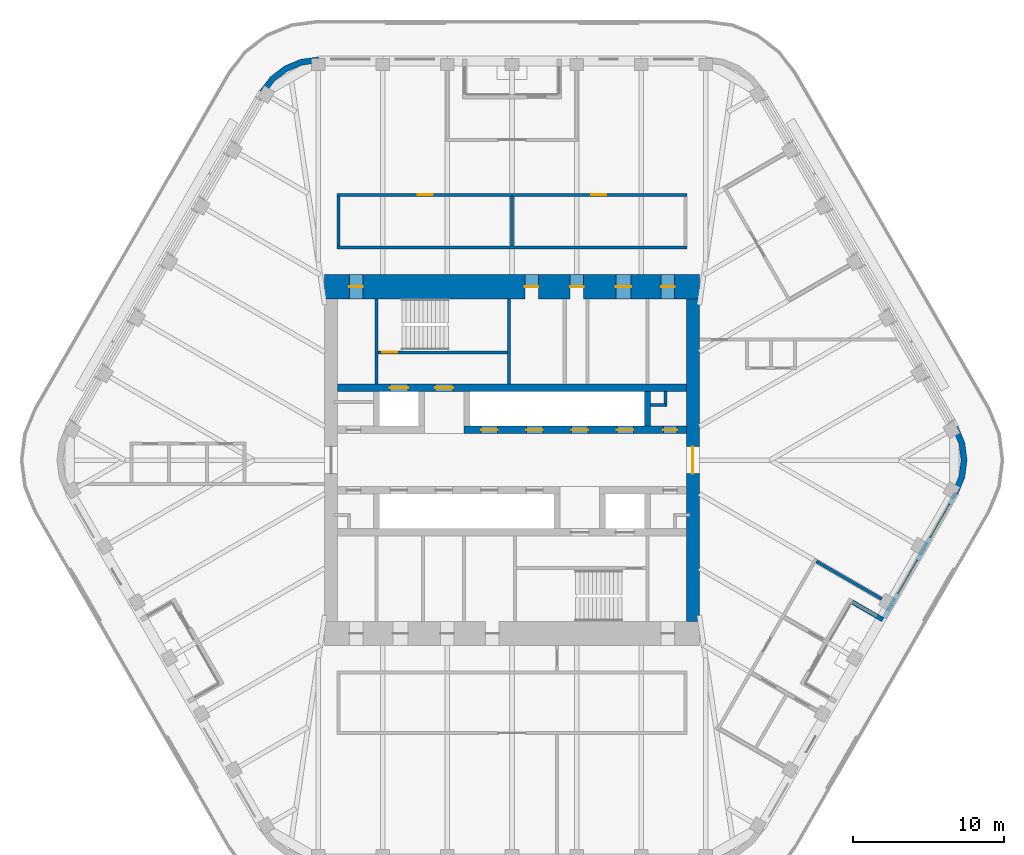
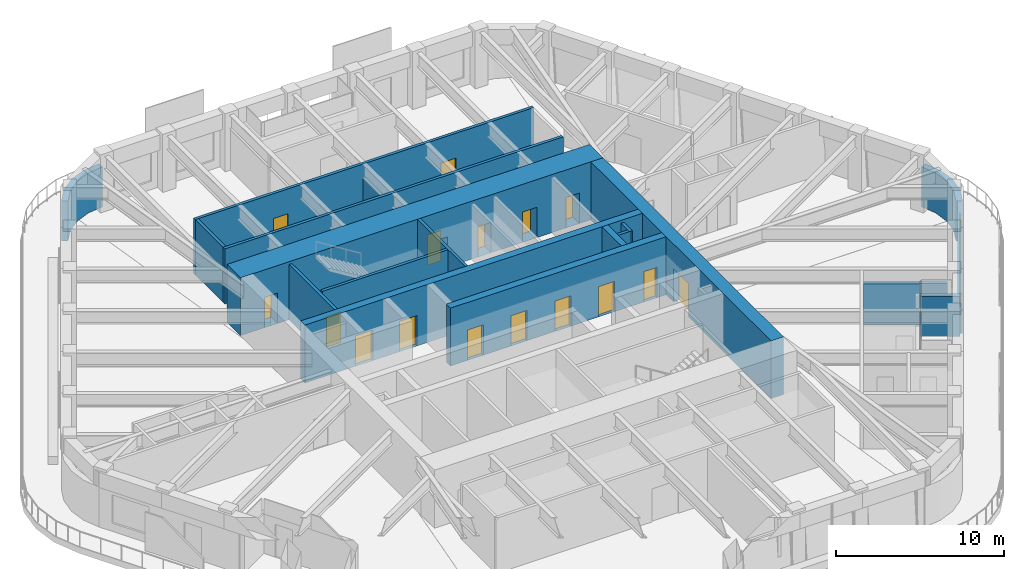
# One storey, part 15 of 19: 19 walls, 16 doors, 2 windows, 18 openings.
"""IFC4 building model written with IfcOpenShell, lengths in metres."""

from ifc_helpers import new_model, si_unit, direction, frame, frame_2d, origin, place, context, subcontext, project, spatial, polyline, rectangle, outline, extrude, material, layer, layer_set, type_object, element, fill, save


model = new_model("IFC4")

# Units and contexts
model_context = context("Model", 3, precision=1e-05, world=origin(), true_north=direction((0.0, 1.0)))
body_context = subcontext(model_context, "Body", "Model", "MODEL_VIEW")
ifc_project = project(units=[si_unit("LENGTHUNIT", "METRE"), si_unit("AREAUNIT", "SQUARE_METRE"), si_unit("VOLUMEUNIT", "CUBIC_METRE"), si_unit("PLANEANGLEUNIT", "RADIAN"), si_unit("MASSUNIT", "GRAM", prefix="KILO")], contexts=[model_context])

# Site, building, storey
site_placement = place(None, origin())
site = spatial("IfcSite", under=ifc_project, at=site_placement, CompositionType="ELEMENT")
building_placement = place(site_placement, origin())
building = spatial("IfcBuilding", under=site, at=building_placement, Name="Tarfa Lantern Tower", CompositionType="ELEMENT")
storey_placement = place(building_placement, frame((0.0, 0.0, 357.699951171875)))
storey = spatial("IfcBuildingStorey", under=building, at=storey_placement, Name="L81", CompositionType="ELEMENT", Elevation=357.699951171875)

# Wall, openings, windows
ifc_material_1 = material(Name="Limestone cladding on blockwork", Category="masonry")
ifc_layer_1 = layer(ifc_material_1, 0.300048828125)
ifc_layer_set_1 = layer_set([ifc_layer_1], Name="EW1 STONE-CLAD WALL 300")
wall_type_1 = type_object("IfcWallType", Name="EW1 STONE-CLAD WALL 300", PredefinedType="SOLIDWALL", material=ifc_layer_set_1)
wall_1_placement = place(storey_placement, frame((24.67724609375, -10.457763671875, 0.0), z_axis=(0.0, 0.0, 1.0), x_axis=(0.499996453679, 0.866027451244, 0.0)))
wall_1 = element("IfcWall", 1, at=wall_1_placement, inside=storey, type_object=wall_type_1, Name="Stone wall SEB", PredefinedType="SOLIDWALL", context=body_context, shape_type="SweptSolid", body=[
    extrude(rectangle(XDim=9.56396484375, YDim=0.300048828125, at=frame_2d((4.781982421875, 0.0))), origin(), (0.0, 0.0, 1.0), 2.900146484375),
])
opening_1_placement = place(wall_1_placement, frame((1.865966796875, 0.0, 0.60009765625)))
opening_1 = element("IfcOpeningElement", 2, at=opening_1_placement, cuts=wall_1, Name="Opening W17", PredefinedType="OPENING", context=body_context, shape_type="SweptSolid", body=[
    extrude(rectangle(XDim=2.550048828125, YDim=2.050048828125, at=frame_2d((1.27490234375, 1.02490234375))), frame((0.0, 0.159912109375, 0.0), z_axis=(0.0, -1.0, 0.0), x_axis=(1.0, 0.0, 0.0)), (0.0, 0.0, 1.0), 0.320068359375),
])
opening_2_placement = place(wall_1_placement, frame((6.14794921875, 0.0, 0.60009765625)))
opening_2 = element("IfcOpeningElement", 3, at=opening_2_placement, cuts=wall_1, Name="Opening W17", PredefinedType="OPENING", context=body_context, shape_type="SweptSolid", body=[
    extrude(rectangle(XDim=2.550048828125, YDim=2.050048828125, at=frame_2d((1.27490234375, 1.02490234375))), frame((0.0, 0.159912109375, 0.0), z_axis=(0.0, -1.0, 0.0), x_axis=(1.0, 0.0, 0.0)), (0.0, 0.0, 1.0), 0.320068359375),
])
ifc_material_2 = material(Name="Aluminium frame, double glazed", Category="aluminium")
window_type = type_object("IfcWindowType", Name="W17 FULL-HEIGHT GLAZING 2550x2050", PartitioningType="SINGLE_PANEL", PredefinedType="WINDOW", material=ifc_material_2)
window_1_placement = place(opening_1_placement, origin())
window_1 = element("IfcWindow", 4, at=window_1_placement, inside=storey, type_object=window_type, Name="Window SEB 1", OverallHeight=2.050048828125, OverallWidth=2.550048828125, PartitioningType="SINGLE_PANEL", PredefinedType="WINDOW", context=body_context, shape_type="SweptSolid", body=[
    extrude(rectangle(XDim=2.550048828125, YDim=2.050048828125, at=frame_2d((1.27490234375, 1.02490234375))), frame((0.0, 0.030029296875, 0.0), z_axis=(0.0, -1.0, 0.0), x_axis=(1.0, 0.0, 0.0)), (0.0, 0.0, 1.0), 0.06005859375),
])
fill(opening_1, window_1)
window_2_placement = place(opening_2_placement, origin())
window_2 = element("IfcWindow", 5, at=window_2_placement, inside=storey, type_object=window_type, Name="Window SEB 2", OverallHeight=2.050048828125, OverallWidth=2.550048828125, PartitioningType="SINGLE_PANEL", PredefinedType="WINDOW", context=body_context, shape_type="SweptSolid", body=[
    extrude(rectangle(XDim=2.550048828125, YDim=2.050048828125, at=frame_2d((1.27490234375, 1.02490234375))), frame((0.0, 0.030029296875, 0.0), z_axis=(0.0, -1.0, 0.0), x_axis=(1.0, 0.0, 0.0)), (0.0, 0.0, 1.0), 0.06005859375),
])
fill(opening_2, window_2)

# Walls
wall_2_placement = place(storey_placement, frame((24.602294921875, -10.587646484375, 0.0), z_axis=(0.0, 0.0, 1.0), x_axis=(-0.866016039709, 0.500016218704, 0.0)))
element("IfcWall", 6, at=wall_2_placement, inside=storey, type_object=wall_type_1, Name="Terrace return SE 2", PredefinedType="SOLIDWALL", context=body_context, shape_type="SweptSolid", body=[
    extrude(rectangle(XDim=2.35009765625, YDim=0.300048828125, at=frame_2d((1.175048828125, 0.0))), origin(), (0.0, 0.0, 1.0), 2.900146484375),
])
ifc_layer_2 = layer(ifc_material_1, 0.39990234375)
ifc_layer_set_2 = layer_set([ifc_layer_2], Name="EW2 CURVED STONE CORNER 400")
wall_type_2 = type_object("IfcWallType", Name="EW2 CURVED STONE CORNER 400", PredefinedType="SOLIDWALL", material=ifc_layer_set_2)
wall_3_placement = place(storey_placement, origin())
element("IfcWall", 7, at=wall_3_placement, inside=storey, type_object=wall_type_2, Name="Stone corner N-NW", PredefinedType="SOLIDWALL", context=body_context, shape_type="SweptSolid", body=[
    extrude(outline(polyline([(-12.845947265625, 26.75), (-14.0107421875, 26.5966796875), (-15.095947265625, 26.147216796875), (-16.028076171875, 25.431884765625), (-16.7431640625, 24.5), (-16.396728515625, 24.300048828125), (-15.7451171875, 25.149169921875), (-14.89599609375, 25.80078125), (-13.9072265625, 26.210205078125), (-12.845947265625, 26.35009765625), (-12.845947265625, 26.75)])), origin(), (0.0, 0.0, 1.0), 2.900146484375),
])
wall_4_placement = place(storey_placement, origin())
element("IfcWall", 8, at=wall_4_placement, inside=storey, type_object=wall_type_2, Name="Stone corner SE-NE", PredefinedType="SOLIDWALL", context=body_context, shape_type="SweptSolid", body=[
    extrude(outline(polyline([(29.589111328125, -2.25), (30.038818359375, -1.164794921875), (30.192138671875, 0.0), (30.038818359375, 1.164794921875), (29.589111328125, 2.25), (29.24267578125, 2.050048828125), (29.65234375, 1.061279296875), (29.7919921875, 0.0), (29.65234375, -1.061279296875), (29.24267578125, -2.050048828125), (29.589111328125, -2.25)])), origin(), (0.0, 0.0, 1.0), 2.900146484375),
])
ifc_material_3 = material(Name="Concrete blockwork", Category="masonry")
ifc_layer_3 = layer(ifc_material_3, 0.199951171875)
ifc_layer_set_3 = layer_set([ifc_layer_3], Name="IW1 BLOCKWORK PARTITION 200 EI 120")
wall_type_3 = type_object("IfcWallType", Name="IW1 BLOCKWORK PARTITION 200 EI 120", PredefinedType="PARTITIONING", material=ifc_layer_set_3)
wall_5_placement = place(storey_placement, frame((-9.0, 5.050048828125, 0.0), z_axis=(0.0, 0.0, 1.0), x_axis=(0.0, 1.0, 0.0)))
element("IfcWall", 9, at=wall_5_placement, inside=storey, type_object=wall_type_3, Name="Core partition", PredefinedType="PARTITIONING", context=body_context, shape_type="SweptSolid", body=[
    extrude(rectangle(XDim=5.64990234375, YDim=0.199951171875, at=frame_2d((2.824951171875, 0.0))), origin(), (0.0, 0.0, 1.0), 4.0),
])
for number, where, z_axis, x_axis, name in (
    (10, (9.199951171875, 3.64990234375, 0.0), (0.0, 0.0, 1.0), (1.0, 0.0, 0.0), "Core partition"),
    (11, (10.199951171875, 3.550048828125, 0.0), (0.0, 0.0, 1.0), (0.0, 1.0, 0.0), "Core partition"),
):
    element("IfcWall", number, at=place(storey_placement, frame(where, z_axis=z_axis, x_axis=x_axis)), inside=storey, type_object=wall_type_3, Name=name, PredefinedType="PARTITIONING", context=body_context, shape_type="SweptSolid", body=[
        extrude(rectangle(XDim=1.0, YDim=0.199951171875, at=frame_2d((0.5, 0.0))), origin(), (0.0, 0.0, 1.0), 4.0),
    ])
ifc_material_4 = material(Name="Gypsum board on steel studs", Category="steel")
ifc_layer_4 = layer(ifc_material_4, 0.2099609375)
ifc_layer_set_4 = layer_set([ifc_layer_4], Name="IW2 ACOUSTIC PARTITION 200")
wall_type_4 = type_object("IfcWallType", Name="IW2 ACOUSTIC PARTITION 200", PredefinedType="PARTITIONING", material=ifc_layer_set_4)
wall_6_placement = place(storey_placement, frame((-11.60009765625, 14.10009765625, 0.0), z_axis=(0.0, 0.0, 1.0), x_axis=(1.0, 0.0, 0.0)))
element("IfcWall", 12, at=wall_6_placement, inside=storey, type_object=wall_type_4, Name="Partition", PredefinedType="PARTITIONING", context=body_context, shape_type="SweptSolid", body=[
    extrude(rectangle(XDim=23.2001953125, YDim=0.199951171875, at=frame_2d((11.60009765625, 0.0))), origin(), (0.0, 0.0, 1.0), 4.0),
])

# Wall, openings, doors
wall_7_placement = place(storey_placement, frame((-11.60009765625, 17.60009765625, 0.0), z_axis=(0.0, 0.0, 1.0), x_axis=(1.0, 0.0, 0.0)))
wall_7 = element("IfcWall", 13, at=wall_7_placement, inside=storey, type_object=wall_type_4, Name="Partition", PredefinedType="PARTITIONING", context=body_context, shape_type="SweptSolid", body=[
    extrude(rectangle(XDim=23.2001953125, YDim=0.199951171875, at=frame_2d((11.60009765625, 0.0))), origin(), (0.0, 0.0, 1.0), 4.0),
])
opening_3_placement = place(wall_7_placement, frame((5.35009765625, 0.0, 0.0)))
opening_3 = element("IfcOpeningElement", 14, at=opening_3_placement, cuts=wall_7, Name="Opening D27", PredefinedType="OPENING", context=body_context, shape_type="SweptSolid", body=[
    extrude(rectangle(XDim=1.0, YDim=2.199951171875, at=frame_2d((0.5, 1.10009765625))), frame((0.0, 0.10986328125, 0.0), z_axis=(0.0, -1.0, 0.0), x_axis=(1.0, 0.0, 0.0)), (0.0, 0.0, 1.0), 0.219970703125),
])
opening_4_placement = place(wall_7_placement, frame((16.85009765625, 0.0, 0.0)))
opening_4 = element("IfcOpeningElement", 15, at=opening_4_placement, cuts=wall_7, Name="Opening D28", PredefinedType="OPENING", context=body_context, shape_type="SweptSolid", body=[
    extrude(rectangle(XDim=1.0, YDim=2.199951171875, at=frame_2d((0.5, 1.10009765625))), frame((0.0, 0.10986328125, 0.0), z_axis=(0.0, -1.0, 0.0), x_axis=(1.0, 0.0, 0.0)), (0.0, 0.0, 1.0), 0.219970703125),
])
ifc_material_5 = material(Name="Timber door", Category="wood")
door_type_1 = type_object("IfcDoorType", Name="DR1 ROOM DOOR 1000x2200", OperationType="SINGLE_SWING_LEFT", PredefinedType="DOOR", material=ifc_material_5)
door_1_placement = place(opening_3_placement, frame((1.0, 0.0, 0.0), z_axis=(0.0, 0.0, 1.0), x_axis=(-1.0, 0.0, 0.0)))
door_1 = element("IfcDoor", 16, at=door_1_placement, inside=storey, type_object=door_type_1, Name="Equipment store door", OperationType="SINGLE_SWING_LEFT", OverallHeight=2.199951171875, OverallWidth=1.0, PredefinedType="DOOR", context=body_context, shape_type="SweptSolid", body=[
    extrude(rectangle(XDim=1.0, YDim=2.199951171875, at=frame_2d((0.5, 1.10009765625))), frame((0.0, 0.02490234375, 0.0), z_axis=(0.0, -1.0, 0.0), x_axis=(1.0, 0.0, 0.0)), (0.0, 0.0, 1.0), 0.050048828125),
])
fill(opening_3, door_1)
door_2_placement = place(opening_4_placement, frame((1.0, 0.0, 0.0), z_axis=(0.0, 0.0, 1.0), x_axis=(-1.0, 0.0, 0.0)))
door_2 = element("IfcDoor", 17, at=door_2_placement, inside=storey, type_object=door_type_1, Name="Supplies store door", OperationType="SINGLE_SWING_RIGHT", OverallHeight=2.199951171875, OverallWidth=1.0, PredefinedType="DOOR", context=body_context, shape_type="SweptSolid", body=[
    extrude(rectangle(XDim=1.0, YDim=2.199951171875, at=frame_2d((0.5, 1.10009765625))), frame((0.0, 0.02490234375, 0.0), z_axis=(0.0, -1.0, 0.0), x_axis=(1.0, 0.0, 0.0)), (0.0, 0.0, 1.0), 0.050048828125),
])
fill(opening_4, door_2)

# Walls
wall_8_placement = place(storey_placement, frame((-11.5, 14.199951171875, 0.0), z_axis=(0.0, 0.0, 1.0), x_axis=(0.0, 1.0, 0.0)))
element("IfcWall", 18, at=wall_8_placement, inside=storey, type_object=wall_type_4, Name="Partition", PredefinedType="PARTITIONING", context=body_context, shape_type="SweptSolid", body=[
    extrude(rectangle(XDim=3.300048828125, YDim=0.199951171875, at=frame_2d((1.64990234375, 0.0))), origin(), (0.0, 0.0, 1.0), 4.0),
])
wall_9_placement = place(storey_placement, frame((0.0, 14.199951171875, 0.0), z_axis=(0.0, 0.0, 1.0), x_axis=(0.0, 1.0, 0.0)))
element("IfcWall", 19, at=wall_9_placement, inside=storey, type_object=wall_type_4, Name="Partition", PredefinedType="PARTITIONING", context=body_context, shape_type="SweptSolid", body=[
    extrude(rectangle(XDim=3.300048828125, YDim=0.199951171875, at=frame_2d((1.64990234375, 0.0))), origin(), (0.0, 0.0, 1.0), 2.991943359375),
])
wall_10_placement = place(storey_placement, frame((20.19775390625, -6.716552734375, 0.0), z_axis=(0.0, 0.0, 1.0), x_axis=(0.866022959057, -0.500004234368, 0.0)))
element("IfcWall", 20, at=wall_10_placement, inside=storey, type_object=wall_type_4, Name="Partition", PredefinedType="PARTITIONING", context=body_context, shape_type="SweptSolid", body=[
    extrude(rectangle(XDim=5.0, YDim=0.199951171875, at=frame_2d((2.5, 0.0))), origin(), (0.0, 0.0, 1.0), 2.991943359375),
])
ifc_material_6 = material(Name="Concrete C80/95", Category="concrete")
ifc_layer_5 = layer(ifc_material_6, 0.199951171875)
ifc_layer_set_5 = layer_set([ifc_layer_5], Name="SW12 CORE WALL 200")
wall_type_5 = type_object("IfcWallType", Name="SW12 CORE WALL 200", PredefinedType="SHEAR", material=ifc_layer_set_5)
wall_11_placement = place(storey_placement, frame((-0.199951171875, 5.050048828125, 0.0), z_axis=(0.0, 0.0, 1.0), x_axis=(0.0, 1.0, 0.0)))
element("IfcWall", 21, at=wall_11_placement, inside=storey, type_object=wall_type_5, Name="Core wall stair shaft N", PredefinedType="SHEAR", context=body_context, shape_type="SweptSolid", body=[
    extrude(rectangle(XDim=5.64990234375, YDim=0.199951171875, at=frame_2d((2.824951171875, 0.0))), origin(), (0.0, 0.0, 1.0), 4.199951171875),
])

# Wall, opening, door
wall_12_placement = place(storey_placement, frame((-8.89990234375, 7.14990234375, 0.0), z_axis=(0.0, 0.0, 1.0), x_axis=(1.0, 0.0, 0.0)))
wall_12 = element("IfcWall", 22, at=wall_12_placement, inside=storey, type_object=wall_type_5, Name="Core wall stair partition N", PredefinedType="SHEAR", context=body_context, shape_type="SweptSolid", body=[
    extrude(rectangle(XDim=8.599853515625, YDim=0.199951171875, at=frame_2d((4.2998046875, 0.0))), origin(), (0.0, 0.0, 1.0), 4.199951171875),
])
opening_5_placement = place(wall_12_placement, frame((0.300048828125, 0.0, 0.0)))
opening_5 = element("IfcOpeningElement", 23, at=opening_5_placement, cuts=wall_12, Name="Opening D19", PredefinedType="OPENING", context=body_context, shape_type="SweptSolid", body=[
    extrude(rectangle(XDim=1.0, YDim=2.199951171875, at=frame_2d((0.5, 1.10009765625))), frame((0.0, 0.10986328125, 0.0), z_axis=(0.0, -1.0, 0.0), x_axis=(1.0, 0.0, 0.0)), (0.0, 0.0, 1.0), 0.219970703125),
])
ifc_material_7 = material(Name="Steel fire door", Category="steel")
door_type_2 = type_object("IfcDoorType", Name="DF2 STAIR DOOR 1000x2200", OperationType="SINGLE_SWING_LEFT", PredefinedType="DOOR", material=ifc_material_7)
door_3_placement = place(opening_5_placement, origin())
door_3 = element("IfcDoor", 24, at=door_3_placement, inside=storey, type_object=door_type_2, Name="Stair door", OperationType="SINGLE_SWING_RIGHT", OverallHeight=2.199951171875, OverallWidth=1.0, PredefinedType="DOOR", context=body_context, shape_type="SweptSolid", body=[
    extrude(rectangle(XDim=1.0, YDim=2.199951171875, at=frame_2d((0.5, 1.10009765625))), frame((0.0, 0.02490234375, 0.0), z_axis=(0.0, -1.0, 0.0), x_axis=(1.0, 0.0, 0.0)), (0.0, 0.0, 1.0), 0.050048828125),
])
fill(opening_5, door_3)

ifc_layer_6 = layer(ifc_material_6, 0.85009765625)
ifc_layer_set_6 = layer_set([ifc_layer_6], Name="SW3 CORE WALL 850")
wall_type_6 = type_object("IfcWallType", Name="SW3 CORE WALL 850", PredefinedType="SHEAR", material=ifc_layer_set_6)
wall_13_placement = place(storey_placement, frame((12.0, -10.699951171875, 0.0), z_axis=(0.0, 0.0, 1.0), x_axis=(0.0, 1.0, 0.0)))
wall_13 = element("IfcWall", 25, at=wall_13_placement, inside=storey, type_object=wall_type_6, Name="Core wall E", PredefinedType="SHEAR", context=body_context, shape_type="SweptSolid", body=[
    extrude(rectangle(XDim=21.39990234375, YDim=0.85009765625, at=frame_2d((10.699951171875, 0.0))), origin(), (0.0, 0.0, 1.0), 4.199951171875),
])
opening_6_placement = place(wall_13_placement, frame((9.800048828125, 0.0, 0.0)))
opening_6 = element("IfcOpeningElement", 26, at=opening_6_placement, cuts=wall_13, Name="Opening D07", PredefinedType="OPENING", context=body_context, shape_type="SweptSolid", body=[
    extrude(rectangle(XDim=1.800048828125, YDim=2.39990234375, at=frame_2d((0.89990234375, 1.199951171875))), frame((0.0, 0.43505859375, 0.0), z_axis=(0.0, -1.0, 0.0), x_axis=(1.0, 0.0, 0.0)), (0.0, 0.0, 1.0), 0.8701171875),
])
door_type_3 = type_object("IfcDoorType", Name="DL1 LOBBY DOOR 1800x2400", OperationType="DOUBLE_DOOR_SINGLE_SWING", PredefinedType="DOOR", material=ifc_material_7)
door_4_placement = place(opening_6_placement, frame((1.800048828125, 0.0, 0.0), z_axis=(0.0, 0.0, 1.0), x_axis=(-1.0, 0.0, 0.0)))
door_4 = element("IfcDoor", 27, at=door_4_placement, inside=storey, type_object=door_type_3, Name="Lift lobby door", OperationType="DOUBLE_DOOR_SINGLE_SWING", OverallHeight=2.39990234375, OverallWidth=1.800048828125, PredefinedType="DOOR", context=body_context, shape_type="SweptSolid", body=[
    extrude(rectangle(XDim=1.800048828125, YDim=2.39990234375, at=frame_2d((0.89990234375, 1.199951171875))), frame((0.0, 0.02490234375, 0.0), z_axis=(0.0, -1.0, 0.0), x_axis=(1.0, 0.0, 0.0)), (0.0, 0.0, 1.0), 0.050048828125),
])
fill(opening_6, door_4)

# Wall, openings, doors
ifc_layer_7 = layer(ifc_material_6, 0.5)
ifc_layer_set_7 = layer_set([ifc_layer_7], Name="SW5 CORE WALL 500")
wall_type_7 = type_object("IfcWallType", Name="SW5 CORE WALL 500", PredefinedType="SHEAR", material=ifc_layer_set_7)
wall_14_placement = place(storey_placement, frame((-3.199951171875, 2.0, 0.0), z_axis=(0.0, 0.0, 1.0), x_axis=(1.0, 0.0, 0.0)))
wall_14 = element("IfcWall", 28, at=wall_14_placement, inside=storey, type_object=wall_type_7, Name="Core wall lobby east N", PredefinedType="SHEAR", context=body_context, shape_type="SweptSolid", body=[
    extrude(rectangle(XDim=14.77490234375, YDim=0.5, at=frame_2d((7.387451171875, 0.0))), origin(), (0.0, 0.0, 1.0), 4.199951171875),
])
opening_7_placement = place(wall_14_placement, frame((13.25, 0.0, 0.0)))
opening_7 = element("IfcOpeningElement", 29, at=opening_7_placement, cuts=wall_14, Name="Opening D09", PredefinedType="OPENING", context=body_context, shape_type="SweptSolid", body=[
    extrude(rectangle(XDim=0.89990234375, YDim=2.199951171875, at=frame_2d((0.449951171875, 1.10009765625))), frame((0.0, 0.260009765625, 0.0), z_axis=(0.0, -1.0, 0.0), x_axis=(1.0, 0.0, 0.0)), (0.0, 0.0, 1.0), 0.52001953125),
])
opening_8_placement = place(wall_14_placement, frame((1.14990234375, 0.0, 0.0)))
opening_8 = element("IfcOpeningElement", 30, at=opening_8_placement, cuts=wall_14, Name="Opening LD03", PredefinedType="OPENING", context=body_context, shape_type="SweptSolid", body=[
    extrude(rectangle(XDim=1.10009765625, YDim=2.199951171875, at=frame_2d((0.550048828125, 1.10009765625))), frame((0.0, 0.260009765625, 0.0), z_axis=(0.0, -1.0, 0.0), x_axis=(1.0, 0.0, 0.0)), (0.0, 0.0, 1.0), 0.52001953125),
])
opening_9_placement = place(wall_14_placement, frame((4.14990234375, 0.0, 0.0)))
opening_9 = element("IfcOpeningElement", 31, at=opening_9_placement, cuts=wall_14, Name="Opening LD04", PredefinedType="OPENING", context=body_context, shape_type="SweptSolid", body=[
    extrude(rectangle(XDim=1.10009765625, YDim=2.199951171875, at=frame_2d((0.550048828125, 1.10009765625))), frame((0.0, 0.260009765625, 0.0), z_axis=(0.0, -1.0, 0.0), x_axis=(1.0, 0.0, 0.0)), (0.0, 0.0, 1.0), 0.52001953125),
])
opening_10_placement = place(wall_14_placement, frame((7.14990234375, 0.0, 0.0)))
opening_10 = element("IfcOpeningElement", 32, at=opening_10_placement, cuts=wall_14, Name="Opening LD05", PredefinedType="OPENING", context=body_context, shape_type="SweptSolid", body=[
    extrude(rectangle(XDim=1.10009765625, YDim=2.199951171875, at=frame_2d((0.550048828125, 1.10009765625))), frame((0.0, 0.260009765625, 0.0), z_axis=(0.0, -1.0, 0.0), x_axis=(1.0, 0.0, 0.0)), (0.0, 0.0, 1.0), 0.52001953125),
])
opening_11_placement = place(wall_14_placement, frame((10.14990234375, 0.0, 0.0)))
opening_11 = element("IfcOpeningElement", 33, at=opening_11_placement, cuts=wall_14, Name="Opening LD06", PredefinedType="OPENING", context=body_context, shape_type="SweptSolid", body=[
    extrude(rectangle(XDim=1.10009765625, YDim=2.199951171875, at=frame_2d((0.550048828125, 1.10009765625))), frame((0.0, 0.260009765625, 0.0), z_axis=(0.0, -1.0, 0.0), x_axis=(1.0, 0.0, 0.0)), (0.0, 0.0, 1.0), 0.52001953125),
])
door_type_4 = type_object("IfcDoorType", Name="DF6 SERVICE ROOM DOOR 900x2200", OperationType="SINGLE_SWING_LEFT", PredefinedType="DOOR", material=ifc_material_7)
door_5_placement = place(opening_7_placement, origin())
door_5 = element("IfcDoor", 34, at=door_5_placement, inside=storey, type_object=door_type_4, Name="Service room door", OperationType="SINGLE_SWING_LEFT", OverallHeight=2.199951171875, OverallWidth=0.89990234375, PredefinedType="DOOR", context=body_context, shape_type="SweptSolid", body=[
    extrude(rectangle(XDim=0.89990234375, YDim=2.199951171875, at=frame_2d((0.449951171875, 1.10009765625))), frame((0.0, 0.02490234375, 0.0), z_axis=(0.0, -1.0, 0.0), x_axis=(1.0, 0.0, 0.0)), (0.0, 0.0, 1.0), 0.050048828125),
])
fill(opening_7, door_5)
ifc_material_8 = material(Name="Stainless steel lift door", Category="steel")
door_type_5 = type_object("IfcDoorType", Name="LD2 LIFT LANDING DOOR 1100x2200", OperationType="SLIDING_TO_LEFT", PredefinedType="DOOR", material=ifc_material_8)
door_6_placement = place(opening_8_placement, frame((1.10009765625, 0.0, 0.0), z_axis=(0.0, 0.0, 1.0), x_axis=(-1.0, 0.0, 0.0)))
door_6 = element("IfcDoor", 35, at=door_6_placement, inside=storey, type_object=door_type_5, Name="Landing door PD1", OperationType="SLIDING_TO_LEFT", OverallHeight=2.199951171875, OverallWidth=1.10009765625, PredefinedType="DOOR", context=body_context, shape_type="SweptSolid", body=[
    extrude(rectangle(XDim=1.10009765625, YDim=2.199951171875, at=frame_2d((0.550048828125, 1.10009765625))), frame((0.0, 0.02490234375, 0.0), z_axis=(0.0, -1.0, 0.0), x_axis=(1.0, 0.0, 0.0)), (0.0, 0.0, 1.0), 0.050048828125),
])
fill(opening_8, door_6)
door_7_placement = place(opening_9_placement, frame((1.10009765625, 0.0, 0.0), z_axis=(0.0, 0.0, 1.0), x_axis=(-1.0, 0.0, 0.0)))
door_7 = element("IfcDoor", 36, at=door_7_placement, inside=storey, type_object=door_type_5, Name="Landing door PD2", OperationType="SLIDING_TO_LEFT", OverallHeight=2.199951171875, OverallWidth=1.10009765625, PredefinedType="DOOR", context=body_context, shape_type="SweptSolid", body=[
    extrude(rectangle(XDim=1.10009765625, YDim=2.199951171875, at=frame_2d((0.550048828125, 1.10009765625))), frame((0.0, 0.02490234375, 0.0), z_axis=(0.0, -1.0, 0.0), x_axis=(1.0, 0.0, 0.0)), (0.0, 0.0, 1.0), 0.050048828125),
])
fill(opening_9, door_7)
door_8_placement = place(opening_10_placement, frame((1.10009765625, 0.0, 0.0), z_axis=(0.0, 0.0, 1.0), x_axis=(-1.0, 0.0, 0.0)))
door_8 = element("IfcDoor", 37, at=door_8_placement, inside=storey, type_object=door_type_5, Name="Landing door PD3", OperationType="SLIDING_TO_LEFT", OverallHeight=2.199951171875, OverallWidth=1.10009765625, PredefinedType="DOOR", context=body_context, shape_type="SweptSolid", body=[
    extrude(rectangle(XDim=1.10009765625, YDim=2.199951171875, at=frame_2d((0.550048828125, 1.10009765625))), frame((0.0, 0.02490234375, 0.0), z_axis=(0.0, -1.0, 0.0), x_axis=(1.0, 0.0, 0.0)), (0.0, 0.0, 1.0), 0.050048828125),
])
fill(opening_10, door_8)
door_9_placement = place(opening_11_placement, frame((1.10009765625, 0.0, 0.0), z_axis=(0.0, 0.0, 1.0), x_axis=(-1.0, 0.0, 0.0)))
door_9 = element("IfcDoor", 38, at=door_9_placement, inside=storey, type_object=door_type_5, Name="Landing door PD4", OperationType="SLIDING_TO_LEFT", OverallHeight=2.199951171875, OverallWidth=1.10009765625, PredefinedType="DOOR", context=body_context, shape_type="SweptSolid", body=[
    extrude(rectangle(XDim=1.10009765625, YDim=2.199951171875, at=frame_2d((0.550048828125, 1.10009765625))), frame((0.0, 0.02490234375, 0.0), z_axis=(0.0, -1.0, 0.0), x_axis=(1.0, 0.0, 0.0)), (0.0, 0.0, 1.0), 0.050048828125),
])
fill(opening_11, door_9)

wall_15_placement = place(storey_placement, frame((-11.574951171875, 4.800048828125, 0.0), z_axis=(0.0, 0.0, 1.0), x_axis=(1.0, 0.0, 0.0)))
wall_15 = element("IfcWall", 39, at=wall_15_placement, inside=storey, type_object=wall_type_7, Name="Core wall rear N", PredefinedType="SHEAR", context=body_context, shape_type="SweptSolid", body=[
    extrude(rectangle(XDim=23.14990234375, YDim=0.5, at=frame_2d((11.574951171875, 0.0))), origin(), (0.0, 0.0, 1.0), 4.199951171875),
])
opening_12_placement = place(wall_15_placement, frame((6.47509765625, 0.0, 0.0)))
opening_12 = element("IfcOpeningElement", 40, at=opening_12_placement, cuts=wall_15, Name="Opening D05", PredefinedType="OPENING", context=body_context, shape_type="SweptSolid", body=[
    extrude(rectangle(XDim=1.199951171875, YDim=2.199951171875, at=frame_2d((0.60009765625, 1.10009765625))), frame((0.0, 0.260009765625, 0.0), z_axis=(0.0, -1.0, 0.0), x_axis=(1.0, 0.0, 0.0)), (0.0, 0.0, 1.0), 0.52001953125),
])
opening_13_placement = place(wall_15_placement, frame((3.47509765625, 0.0, 0.0)))
opening_13 = element("IfcOpeningElement", 41, at=opening_13_placement, cuts=wall_15, Name="Opening LD01", PredefinedType="OPENING", context=body_context, shape_type="SweptSolid", body=[
    extrude(rectangle(XDim=1.199951171875, YDim=2.199951171875, at=frame_2d((0.60009765625, 1.10009765625))), frame((0.0, 0.260009765625, 0.0), z_axis=(0.0, -1.0, 0.0), x_axis=(1.0, 0.0, 0.0)), (0.0, 0.0, 1.0), 0.52001953125),
])
door_type_6 = type_object("IfcDoorType", Name="DF1 FIREFIGHTING LOBBY DOOR 1200x2200", OperationType="SINGLE_SWING_LEFT", PredefinedType="DOOR", material=ifc_material_7)
door_10_placement = place(opening_12_placement, origin())
door_10 = element("IfcDoor", 42, at=door_10_placement, inside=storey, type_object=door_type_6, Name="Firefighting lobby door", OperationType="SINGLE_SWING_LEFT", OverallHeight=2.199951171875, OverallWidth=1.199951171875, PredefinedType="DOOR", context=body_context, shape_type="SweptSolid", body=[
    extrude(rectangle(XDim=1.199951171875, YDim=2.199951171875, at=frame_2d((0.60009765625, 1.10009765625))), frame((0.0, 0.02490234375, 0.0), z_axis=(0.0, -1.0, 0.0), x_axis=(1.0, 0.0, 0.0)), (0.0, 0.0, 1.0), 0.050048828125),
])
fill(opening_12, door_10)
door_type_7 = type_object("IfcDoorType", Name="LD1 LIFT LANDING DOOR 1200x2200", OperationType="SLIDING_TO_LEFT", PredefinedType="DOOR", material=ifc_material_8)
door_11_placement = place(opening_13_placement, origin())
door_11 = element("IfcDoor", 43, at=door_11_placement, inside=storey, type_object=door_type_7, Name="Landing door FL1", OperationType="SLIDING_TO_LEFT", OverallHeight=2.199951171875, OverallWidth=1.199951171875, PredefinedType="DOOR", context=body_context, shape_type="SweptSolid", body=[
    extrude(rectangle(XDim=1.199951171875, YDim=2.199951171875, at=frame_2d((0.60009765625, 1.10009765625))), frame((0.0, 0.02490234375, 0.0), z_axis=(0.0, -1.0, 0.0), x_axis=(1.0, 0.0, 0.0)), (0.0, 0.0, 1.0), 0.050048828125),
])
fill(opening_13, door_11)

# Wall
ifc_layer_8 = layer(ifc_material_6, 0.39990234375)
ifc_layer_set_8 = layer_set([ifc_layer_8], Name="SW6 CORE WALL 400")
wall_type_8 = type_object("IfcWallType", Name="SW6 CORE WALL 400", PredefinedType="SHEAR", material=ifc_layer_set_8)
wall_16_placement = place(storey_placement, frame((9.0, 2.25, 0.0), z_axis=(0.0, 0.0, 1.0), x_axis=(0.0, 1.0, 0.0)))
element("IfcWall", 44, at=wall_16_placement, inside=storey, type_object=wall_type_8, Name="Core wall divider N", PredefinedType="SHEAR", context=body_context, shape_type="SweptSolid", body=[
    extrude(rectangle(XDim=2.300048828125, YDim=0.39990234375, at=frame_2d((1.14990234375, 0.0))), origin(), (0.0, 0.0, 1.0), 4.199951171875),
])

# Wall, openings, doors
ifc_layer_9 = layer(ifc_material_6, 1.60009765625)
ifc_layer_set_9 = layer_set([ifc_layer_9], Name="SW7 CORE WALL 1600")
wall_type_9 = type_object("IfcWallType", Name="SW7 CORE WALL 1600", PredefinedType="SHEAR", material=ifc_layer_set_9)
wall_17_placement = place(storey_placement, frame((-12.425048828125, 11.5, 0.0), z_axis=(0.0, 0.0, 1.0), x_axis=(1.0, 0.0, 0.0)))
wall_17 = element("IfcWall", 45, at=wall_17_placement, inside=storey, type_object=wall_type_9, Name="Core wall N", PredefinedType="SHEAR", context=body_context, shape_type="SweptSolid", body=[
    extrude(rectangle(XDim=24.85009765625, YDim=1.60009765625, at=frame_2d((12.425048828125, 0.0))), origin(), (0.0, 0.0, 1.0), 4.199951171875),
])
opening_14_placement = place(wall_17_placement, frame((13.27490234375, 0.0, 0.0)))
opening_14 = element("IfcOpeningElement", 46, at=opening_14_placement, cuts=wall_17, Name="Opening D13", PredefinedType="OPENING", context=body_context, shape_type="SweptSolid", body=[
    extrude(rectangle(XDim=0.89990234375, YDim=2.199951171875, at=frame_2d((0.449951171875, 1.10009765625))), frame((0.0, 0.81005859375, 0.0), z_axis=(0.0, -1.0, 0.0), x_axis=(1.0, 0.0, 0.0)), (0.0, 0.0, 1.0), 1.6201171875),
])
opening_15_placement = place(wall_17_placement, frame((16.27490234375, 0.0, 0.0)))
opening_15 = element("IfcOpeningElement", 47, at=opening_15_placement, cuts=wall_17, Name="Opening D15", PredefinedType="OPENING", context=body_context, shape_type="SweptSolid", body=[
    extrude(rectangle(XDim=0.89990234375, YDim=2.199951171875, at=frame_2d((0.449951171875, 1.10009765625))), frame((0.0, 0.81005859375, 0.0), z_axis=(0.0, -1.0, 0.0), x_axis=(1.0, 0.0, 0.0)), (0.0, 0.0, 1.0), 1.6201171875),
])
opening_16_placement = place(wall_17_placement, frame((19.324951171875, 0.0, 0.0)))
opening_16 = element("IfcOpeningElement", 48, at=opening_16_placement, cuts=wall_17, Name="Opening D17", PredefinedType="OPENING", context=body_context, shape_type="SweptSolid", body=[
    extrude(rectangle(XDim=1.0, YDim=2.199951171875, at=frame_2d((0.5, 1.10009765625))), frame((0.0, 0.81005859375, 0.0), z_axis=(0.0, -1.0, 0.0), x_axis=(1.0, 0.0, 0.0)), (0.0, 0.0, 1.0), 1.6201171875),
])
opening_17_placement = place(wall_17_placement, frame((1.637451171875, 0.0, 0.0)))
opening_17 = element("IfcOpeningElement", 49, at=opening_17_placement, cuts=wall_17, Name="Opening D03", PredefinedType="OPENING", context=body_context, shape_type="SweptSolid", body=[
    extrude(rectangle(XDim=0.89990234375, YDim=2.199951171875, at=frame_2d((0.449951171875, 1.10009765625))), frame((0.0, 0.81005859375, 0.0), z_axis=(0.0, -1.0, 0.0), x_axis=(1.0, 0.0, 0.0)), (0.0, 0.0, 1.0), 1.6201171875),
])
opening_18_placement = place(wall_17_placement, frame((22.3125, 0.0, 0.0)))
opening_18 = element("IfcOpeningElement", 50, at=opening_18_placement, cuts=wall_17, Name="Opening D01", PredefinedType="OPENING", context=body_context, shape_type="SweptSolid", body=[
    extrude(rectangle(XDim=0.89990234375, YDim=2.199951171875, at=frame_2d((0.449951171875, 1.10009765625))), frame((0.0, 0.81005859375, 0.0), z_axis=(0.0, -1.0, 0.0), x_axis=(1.0, 0.0, 0.0)), (0.0, 0.0, 1.0), 1.6201171875),
])
door_type_8 = type_object("IfcDoorType", Name="DF3 CORE ROOM DOOR 900x2200", OperationType="SINGLE_SWING_LEFT", PredefinedType="DOOR", material=ifc_material_7)
door_12_placement = place(opening_14_placement, frame((0.89990234375, 0.0, 0.0), z_axis=(0.0, 0.0, 1.0), x_axis=(-1.0, 0.0, 0.0)))
door_12 = element("IfcDoor", 51, at=door_12_placement, inside=storey, type_object=door_type_8, Name="Core door", OperationType="SINGLE_SWING_LEFT", OverallHeight=2.199951171875, OverallWidth=0.89990234375, PredefinedType="DOOR", context=body_context, shape_type="SweptSolid", body=[
    extrude(rectangle(XDim=0.89990234375, YDim=2.199951171875, at=frame_2d((0.449951171875, 1.10009765625))), frame((0.0, 0.02490234375, 0.0), z_axis=(0.0, -1.0, 0.0), x_axis=(1.0, 0.0, 0.0)), (0.0, 0.0, 1.0), 0.050048828125),
])
fill(opening_14, door_12)
door_13_placement = place(opening_15_placement, frame((0.89990234375, 0.0, 0.0), z_axis=(0.0, 0.0, 1.0), x_axis=(-1.0, 0.0, 0.0)))
door_13 = element("IfcDoor", 52, at=door_13_placement, inside=storey, type_object=door_type_8, Name="Core door", OperationType="SINGLE_SWING_RIGHT", OverallHeight=2.199951171875, OverallWidth=0.89990234375, PredefinedType="DOOR", context=body_context, shape_type="SweptSolid", body=[
    extrude(rectangle(XDim=0.89990234375, YDim=2.199951171875, at=frame_2d((0.449951171875, 1.10009765625))), frame((0.0, 0.02490234375, 0.0), z_axis=(0.0, -1.0, 0.0), x_axis=(1.0, 0.0, 0.0)), (0.0, 0.0, 1.0), 0.050048828125),
])
fill(opening_15, door_13)
door_type_9 = type_object("IfcDoorType", Name="DF4 CORE ROOM DOOR 1000x2200", OperationType="SINGLE_SWING_LEFT", PredefinedType="DOOR", material=ifc_material_7)
door_14_placement = place(opening_16_placement, frame((1.0, 0.0, 0.0), z_axis=(0.0, 0.0, 1.0), x_axis=(-1.0, 0.0, 0.0)))
door_14 = element("IfcDoor", 53, at=door_14_placement, inside=storey, type_object=door_type_9, Name="Core door", OperationType="SINGLE_SWING_RIGHT", OverallHeight=2.199951171875, OverallWidth=1.0, PredefinedType="DOOR", context=body_context, shape_type="SweptSolid", body=[
    extrude(rectangle(XDim=1.0, YDim=2.199951171875, at=frame_2d((0.5, 1.10009765625))), frame((0.0, 0.02490234375, 0.0), z_axis=(0.0, -1.0, 0.0), x_axis=(1.0, 0.0, 0.0)), (0.0, 0.0, 1.0), 0.050048828125),
])
fill(opening_16, door_14)
door_type_10 = type_object("IfcDoorType", Name="DF5 RISER DOOR 900x2200", OperationType="SINGLE_SWING_LEFT", PredefinedType="DOOR", material=ifc_material_7)
door_15_placement = place(opening_17_placement, frame((0.89990234375, 0.0, 0.0), z_axis=(0.0, 0.0, 1.0), x_axis=(-1.0, 0.0, 0.0)))
door_15 = element("IfcDoor", 54, at=door_15_placement, inside=storey, type_object=door_type_10, Name="Riser door", OperationType="SINGLE_SWING_LEFT", OverallHeight=2.199951171875, OverallWidth=0.89990234375, PredefinedType="DOOR", context=body_context, shape_type="SweptSolid", body=[
    extrude(rectangle(XDim=0.89990234375, YDim=2.199951171875, at=frame_2d((0.449951171875, 1.10009765625))), frame((0.0, 0.02490234375, 0.0), z_axis=(0.0, -1.0, 0.0), x_axis=(1.0, 0.0, 0.0)), (0.0, 0.0, 1.0), 0.050048828125),
])
fill(opening_17, door_15)
door_16_placement = place(opening_18_placement, frame((0.89990234375, 0.0, 0.0), z_axis=(0.0, 0.0, 1.0), x_axis=(-1.0, 0.0, 0.0)))
door_16 = element("IfcDoor", 55, at=door_16_placement, inside=storey, type_object=door_type_10, Name="Riser door", OperationType="SINGLE_SWING_RIGHT", OverallHeight=2.199951171875, OverallWidth=0.89990234375, PredefinedType="DOOR", context=body_context, shape_type="SweptSolid", body=[
    extrude(rectangle(XDim=0.89990234375, YDim=2.199951171875, at=frame_2d((0.449951171875, 1.10009765625))), frame((0.0, 0.02490234375, 0.0), z_axis=(0.0, -1.0, 0.0), x_axis=(1.0, 0.0, 0.0)), (0.0, 0.0, 1.0), 0.050048828125),
])
fill(opening_18, door_16)

save(model, "model.ifc")
